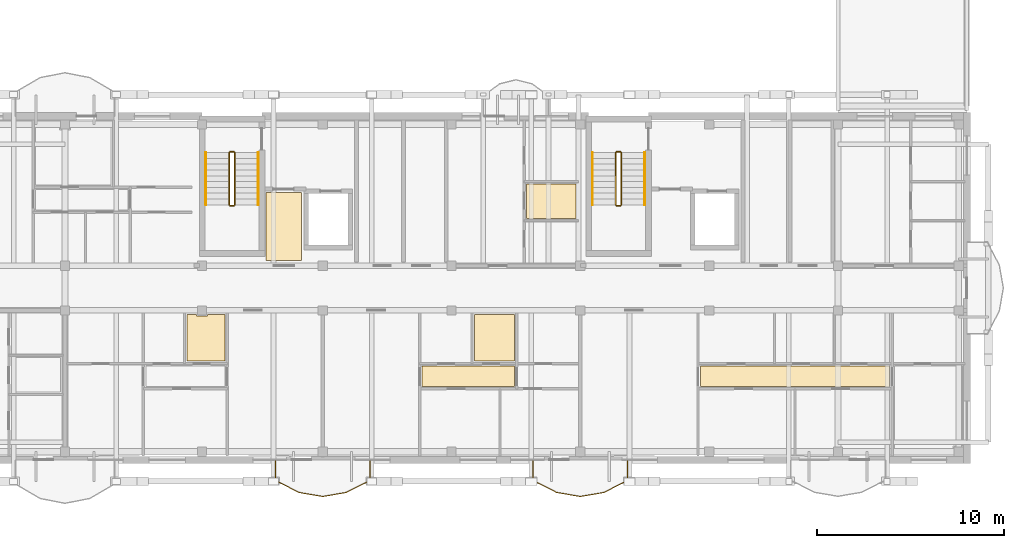
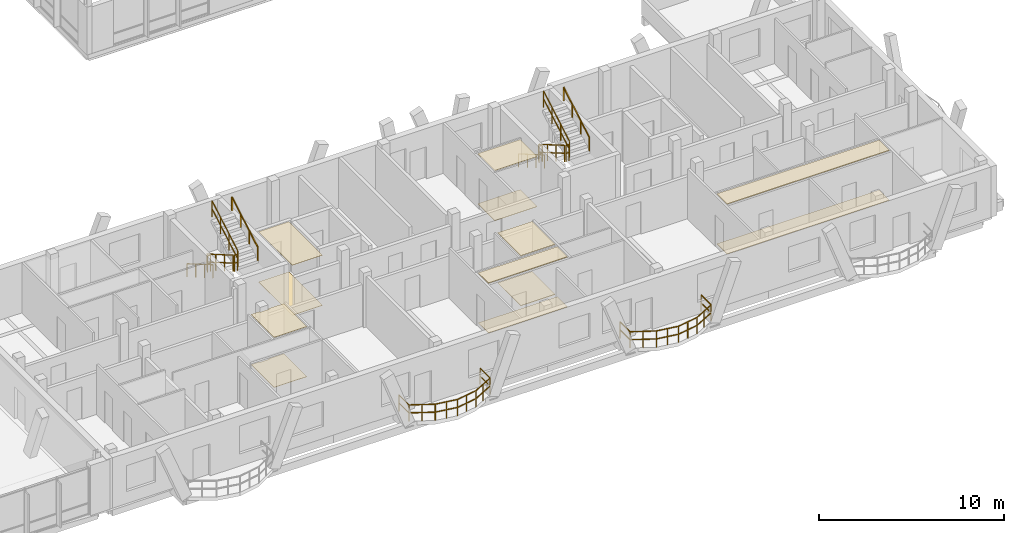
# One storey, part 185 of 189: 14 railings, 12 coverings.
"""IFC4 building model written with IfcOpenShell, lengths in metres."""

import ifcopenshell
import ifcopenshell.guid

model = None  # the IFC model being written
_history = None  # IfcOwnerHistory: only IFC2X3 demands one
_inside = {}  # id of a spatial element -> (the spatial element, [elements in it])
_under = {}  # id of a project, library or spatial element -> (it, [spatial elements below it])
_declared = {}  # id of a project -> (the project, [libraries it declares])
_typed = {}  # id of a type object -> (the type object, [elements of that type])
_made_of = {}  # id of a material, layer set ... -> (it, [elements and type objects made of it])


def new_model(schema):
    """Start an empty IFC model of exactly this schema.

    Asked for "IFC4X3", IfcOpenShell would pick the latest addendum, in which some entities
    have other attributes; the version numbers below select the first issue.
    IFC2X3 requires an IfcOwnerHistory on every rooted entity: one is made here for all.
    """
    global model, _history
    if schema == "IFC4X3":
        model = ifcopenshell.file(schema_version=(4, 3, 0, 0))
    else:
        model = ifcopenshell.file(schema=schema)
    _inside.clear()
    _under.clear()
    _declared.clear()
    _typed.clear()
    _made_of.clear()
    _history = None
    if model.schema == "IFC2X3":
        org = make("IfcOrganization", Name="unknown")
        user = make(
            "IfcPersonAndOrganization",
            ThePerson=make("IfcPerson", FamilyName="unknown"),
            TheOrganization=org,
        )
        app = make(
            "IfcApplication",
            ApplicationDeveloper=org,
            Version="unknown",
            ApplicationFullName="unknown",
            ApplicationIdentifier="unknown",
        )
        _history = make(
            "IfcOwnerHistory",
            OwningUser=user,
            OwningApplication=app,
            ChangeAction="ADDED",
            CreationDate=0,
        )
    return model


def make(cls, **values):
    """One entity of the class cls with the attributes given. An attribute that is None is left unset."""
    return model.create_entity(
        cls, **{name: value for name, value in values.items() if value is not None}
    )


def rooted(cls, **values):
    """An entity with a GlobalId (a new one), such as an element, a storey or a relation."""
    return make(cls, GlobalId=ifcopenshell.guid.new(), OwnerHistory=_history, **values)


def si_unit(unit_type, name, prefix=None):
    """IfcSIUnit, for example si_unit("LENGTHUNIT", "METRE", prefix="MILLI")."""
    return make("IfcSIUnit", UnitType=unit_type, Prefix=prefix, Name=name)


def assignment(units):
    """IfcUnitAssignment: the units of a project."""
    return None if units is None else make("IfcUnitAssignment", Units=units)


def point(xyz):
    """IfcCartesianPoint."""
    return None if xyz is None else make("IfcCartesianPoint", Coordinates=xyz)


def direction(xyz):
    """IfcDirection."""
    return None if xyz is None else make("IfcDirection", DirectionRatios=xyz)


def frame(location, z_axis=None, x_axis=None):
    """IfcAxis2Placement3D, a coordinate frame: its origin and axes. An axis left out is left unset."""
    return make(
        "IfcAxis2Placement3D",
        Location=point(location),
        Axis=direction(z_axis),
        RefDirection=direction(x_axis),
    )


def frame_2d(location, x_axis=None):
    """IfcAxis2Placement2D, a coordinate frame in the plane: its origin and x axis."""
    return make(
        "IfcAxis2Placement2D", Location=point(location), RefDirection=direction(x_axis)
    )


def origin():
    """The frame at (0, 0, 0) with its axes left unset."""
    return frame((0.0, 0.0, 0.0))


def origin_2d():
    """The frame at (0, 0) in the plane with its x axis left unset."""
    return frame_2d((0.0, 0.0))


def place(relative_to, where):
    """IfcLocalPlacement: puts the frame where relative to a parent placement (None: the world)."""
    return make(
        "IfcLocalPlacement", PlacementRelTo=relative_to, RelativePlacement=where
    )


def context(
    kind, dimensions, precision=None, world=None, true_north=None, identifier=None
):
    """IfcGeometricRepresentationContext, for example the 3D "Model" context."""
    return make(
        "IfcGeometricRepresentationContext",
        ContextIdentifier=identifier,
        ContextType=kind,
        CoordinateSpaceDimension=dimensions,
        Precision=precision,
        WorldCoordinateSystem=world,
        TrueNorth=true_north,
    )


def subcontext(parent, identifier, kind, view, scale=None):
    """IfcGeometricRepresentationSubContext, for example "Body" below "Model"."""
    return make(
        "IfcGeometricRepresentationSubContext",
        ContextIdentifier=identifier,
        ContextType=kind,
        ParentContext=parent,
        TargetScale=scale,
        TargetView=view,
    )


def project(units=None, contexts=None):
    """IfcProject with its units and contexts."""
    return rooted(
        "IfcProject",
        Name="project",
        RepresentationContexts=contexts,
        UnitsInContext=assignment(units),
    )


def spatial(cls, under=None, at=None, **own):
    """A site, building, storey or space (cls), placed at a placement, below another one or the project."""
    s = rooted(cls, ObjectPlacement=at, **own)
    if under is not None:
        _under.setdefault(under.id(), (under, []))[1].append(s)
    return s


def polyline(points):
    """IfcPolyline through the points."""
    return make("IfcPolyline", Points=[point(p) for p in points])


def profile(cls, at=None, kind="AREA", **sizes):
    """A parametric profile (cls). Its sizes go by their IFC names, for example OverallWidth=200.0."""
    return make(cls, ProfileType=kind, Position=at, **sizes)


def rectangle(**sizes):
    """IfcRectangleProfileDef."""
    return profile("IfcRectangleProfileDef", **sizes)


def outline(outer, holes=None, kind="AREA"):
    """IfcArbitraryClosedProfileDef: a profile drawn as a closed curve; with holes, ...WithVoids."""
    if holes is None:
        return make("IfcArbitraryClosedProfileDef", ProfileType=kind, OuterCurve=outer)
    return make(
        "IfcArbitraryProfileDefWithVoids",
        ProfileType=kind,
        OuterCurve=outer,
        InnerCurves=holes,
    )


def extrude(swept, where, along, depth):
    """IfcExtrudedAreaSolid: the profile swept, set in the frame where, extruded along a direction by depth."""
    return make(
        "IfcExtrudedAreaSolid",
        SweptArea=swept,
        Position=where,
        ExtrudedDirection=direction(along),
        Depth=depth,
    )


def shape(context_of_items, identifier, shape_type, items):
    """IfcShapeRepresentation: the items that make up one representation, for example the "Body"."""
    return make(
        "IfcShapeRepresentation",
        ContextOfItems=context_of_items,
        RepresentationIdentifier=identifier,
        RepresentationType=shape_type,
        Items=items,
    )


def material(Name=None, Category=None):
    """IfcMaterial."""
    return make("IfcMaterial", Name=Name, Category=Category)


def layer(
    of_material, thickness, ventilated=None, Name=None, Category=None, Priority=None
):
    """IfcMaterialLayer: one layer of a wall or slab, of a material (None: an air gap)."""
    return make(
        "IfcMaterialLayer",
        Material=of_material,
        LayerThickness=thickness,
        IsVentilated=ventilated,
        Name=Name,
        Category=Category,
        Priority=Priority,
    )


def layer_set(layers, Name=None):
    """IfcMaterialLayerSet."""
    return make("IfcMaterialLayerSet", MaterialLayers=layers, LayerSetName=Name)


def made_of(thing, what):
    """Note that an element or type object is made of a material, layer set ...; save() writes the relation."""
    if what is not None:
        _made_of.setdefault(what.id(), (what, []))[1].append(thing)
    return thing


def type_object(cls, material=None, **own):
    """A type object (cls), such as IfcWallType, which elements share."""
    return made_of(rooted(cls, **own), material)


def element(
    cls,
    number,
    at=None,
    inside=None,
    cuts=None,
    type_object=None,
    material=None,
    context=None,
    identifier="Body",
    shape_type=None,
    held_by="IfcProductDefinitionShape",
    body=None,
    shapes=None,
    **own,
):
    """One element of the class cls, such as IfcWall. Its Tag is "e" and its number.

    at: its placement. inside: the storey or other place that contains it. cuts: it is an
    opening in that element (IfcRelVoidsElement). A single representation is given by context,
    identifier, shape_type and body (its items); several are given by shapes. held_by: the class
    of the entity that holds the representations. save() writes the other relations.
    """
    e = rooted(cls, Tag="e%d" % number, ObjectPlacement=at, **own)
    if body is not None:
        shapes = [shape(context, identifier, shape_type, body)]
    if shapes is not None:
        e.Representation = make(held_by, Representations=shapes)
    if inside is not None:
        _inside.setdefault(inside.id(), (inside, []))[1].append(e)
    if cuts is not None:
        rooted(
            "IfcRelVoidsElement", RelatingBuildingElement=cuts, RelatedOpeningElement=e
        )
    if type_object is not None:
        _typed.setdefault(type_object.id(), (type_object, []))[1].append(e)
    return made_of(e, material)


def aggregate(whole, parts):
    """IfcRelAggregates: a whole, such as a stair, and the parts it consists of."""
    return rooted("IfcRelAggregates", RelatingObject=whole, RelatedObjects=parts)


def save(model, path):
    """Write the relations noted so far, then the file.

    IfcRelAggregates (storeys below a building ...), IfcRelContainedInSpatialStructure (elements
    in a storey), IfcRelDefinesByType, IfcRelAssociatesMaterial and IfcRelDeclares: one each for
    every whole, place, type object, material and project.
    """
    for whole, parts in _under.values():
        aggregate(whole, parts)
    for where, things in _inside.values():
        rooted(
            "IfcRelContainedInSpatialStructure",
            RelatedElements=things,
            RelatingStructure=where,
        )
    for kind, things in _typed.values():
        rooted("IfcRelDefinesByType", RelatedObjects=things, RelatingType=kind)
    for what, things in _made_of.values():
        rooted("IfcRelAssociatesMaterial", RelatedObjects=things, RelatingMaterial=what)
    for by, libraries in _declared.values():
        rooted("IfcRelDeclares", RelatingContext=by, RelatedDefinitions=libraries)
    model.write(path)


model = new_model("IFC4")

# Units and contexts
model_context = context("Model", 3, precision=1e-05, world=origin(), true_north=direction((0.0, 1.0)))
body_context = subcontext(model_context, "Body", "Model", "MODEL_VIEW")
ifc_project = project(units=[si_unit("LENGTHUNIT", "METRE"), si_unit("AREAUNIT", "SQUARE_METRE"), si_unit("VOLUMEUNIT", "CUBIC_METRE"), si_unit("PLANEANGLEUNIT", "RADIAN"), si_unit("MASSUNIT", "GRAM", prefix="KILO")], contexts=[model_context])

# Site, building, storey
site_placement = place(None, origin())
site = spatial("IfcSite", under=ifc_project, at=site_placement, CompositionType="ELEMENT")
building_placement = place(site_placement, origin())
building = spatial("IfcBuilding", under=site, at=building_placement, Name="Zavelmont Quarter", CompositionType="ELEMENT")
storey_placement = place(building_placement, frame((0.0, 0.0, 4.39990234375)))
storey = spatial("IfcBuildingStorey", under=building, at=storey_placement, Name="L01", CompositionType="ELEMENT", Elevation=4.39990234375)

# Coverings
ifc_material_1 = material(Name="Perforated acoustic gypsum board")
ifc_layer_1 = layer(ifc_material_1, 0.02490234375)
ifc_layer_set_1 = layer_set([ifc_layer_1], Name="Perforated acoustic gypsum board")
covering_type_1 = type_object("IfcCoveringType", Name="CV-CL01", PredefinedType="CEILING", material=ifc_layer_set_1)
covering_1_placement = place(storey_placement, frame((0.0, 0.0, 3.30517578125)))
element("IfcCovering", 1, at=covering_1_placement, inside=storey, type_object=covering_type_1, Name="L01 Lobby Vestibule acoustic ceiling", PredefinedType="CEILING", context=body_context, shape_type="SweptSolid", body=[
    extrude(outline(polyline([(130.47998046875, 14.320068359375), (132.3701171875, 14.320068359375), (132.3701171875, 10.679931640625), (130.47998046875, 10.679931640625), (130.47998046875, 14.320068359375)])), origin(), (0.0, 0.0, 1.0), 0.02490234375),
])
covering_2_placement = place(storey_placement, frame((0.0, 0.0, 3.30517578125)))
element("IfcCovering", 2, at=covering_2_placement, inside=storey, type_object=covering_type_1, Name="L01 Kitchen acoustic ceiling", PredefinedType="CEILING", context=body_context, shape_type="SweptSolid", body=[
    extrude(outline(polyline([(126.22998046875, 7.77001953125), (126.75, 7.77001953125), (126.75, 7.7099609375), (127.330078125, 7.7099609375), (127.330078125, 7.77001953125), (128.27001953125, 7.77001953125), (128.27001953125, 5.280029296875), (126.22998046875, 5.280029296875), (126.22998046875, 7.77001953125)])), origin(), (0.0, 0.0, 1.0), 0.02490234375),
])
ifc_material_2 = material(Name="Slatted European ash acoustic baffle ceiling")
ifc_layer_2 = layer(ifc_material_2, 0.0400390625)
ifc_layer_set_2 = layer_set([ifc_layer_2], Name="Slatted European ash acoustic baffle ceiling")
covering_type_2 = type_object("IfcCoveringType", Name="CV-CL02", PredefinedType="CEILING", material=ifc_layer_set_2)
covering_3_placement = place(storey_placement, frame((0.0, 0.0, 3.2900390625)))
element("IfcCovering", 3, at=covering_3_placement, inside=storey, type_object=covering_type_2, Name="L01 Apartment Hall acoustic ceiling", PredefinedType="CEILING", context=body_context, shape_type="SweptSolid", body=[
    extrude(outline(polyline([(138.830078125, 5.02001953125), (143.77001953125, 5.02001953125), (143.77001953125, 3.929931640625), (138.830078125, 3.929931640625), (138.830078125, 5.02001953125)])), origin(), (0.0, 0.0, 1.0), 0.0400390625),
])
covering_4_placement = place(storey_placement, frame((0.0, 0.0, 3.2900390625)))
element("IfcCovering", 4, at=covering_4_placement, inside=storey, type_object=covering_type_2, Name="L01 Apartment Hall acoustic ceiling", PredefinedType="CEILING", context=body_context, shape_type="SweptSolid", body=[
    extrude(outline(polyline([(153.72998046875, 5.02001953125), (163.8701171875, 5.02001953125), (163.8701171875, 3.929931640625), (153.72998046875, 3.929931640625), (153.72998046875, 5.02001953125)])), origin(), (0.0, 0.0, 1.0), 0.0400390625),
])
ifc_material_3 = material(Name="Moisture-resistant painted gypsum ceiling")
ifc_layer_3 = layer(ifc_material_3, 0.02001953125)
ifc_layer_set_3 = layer_set([ifc_layer_3], Name="Moisture-resistant painted gypsum ceiling")
covering_type_3 = type_object("IfcCoveringType", Name="CV-CL04", PredefinedType="CEILING", material=ifc_layer_set_3)
covering_5_placement = place(storey_placement, frame((0.0, 0.0, 3.31005859375)))
element("IfcCovering", 5, at=covering_5_placement, inside=storey, type_object=covering_type_3, Name="L01 Bathroom acoustic ceiling", PredefinedType="CEILING", context=body_context, shape_type="SweptSolid", body=[
    extrude(outline(polyline([(141.6298828125, 7.77001953125), (143.77001953125, 7.77001953125), (143.77001953125, 5.280029296875), (141.6298828125, 5.280029296875), (141.6298828125, 7.77001953125)])), origin(), (0.0, 0.0, 1.0), 0.02001953125),
])
covering_6_placement = place(storey_placement, frame((0.0, 0.0, 3.31005859375)))
element("IfcCovering", 6, at=covering_6_placement, inside=storey, type_object=covering_type_3, Name="L01 Bathroom acoustic ceiling", PredefinedType="CEILING", context=body_context, shape_type="SweptSolid", body=[
    extrude(outline(polyline([(144.429931640625, 14.77001953125), (147.070068359375, 14.77001953125), (147.070068359375, 12.929931640625), (144.429931640625, 12.929931640625), (144.429931640625, 14.77001953125)])), origin(), (0.0, 0.0, 1.0), 0.02001953125),
])
ifc_material_4 = material(Name="Engineered European oak parquet")
ifc_layer_4 = layer(ifc_material_4, 0.02197265625)
ifc_layer_set_4 = layer_set([ifc_layer_4], Name="Engineered European oak parquet")
covering_type_4 = type_object("IfcCoveringType", Name="CV-FL01", PredefinedType="FLOORING", material=ifc_layer_set_4)
covering_7_placement = place(storey_placement, origin())
element("IfcCovering", 7, at=covering_7_placement, inside=storey, type_object=covering_type_4, Name="L01 Lobby Vestibule floor finish", PredefinedType="FLOORING", context=body_context, shape_type="SweptSolid", body=[
    extrude(outline(polyline([(130.47998046875, 14.320068359375), (132.3701171875, 14.320068359375), (132.3701171875, 10.679931640625), (130.47998046875, 10.679931640625), (130.47998046875, 14.320068359375)])), origin(), (0.0, 0.0, 1.0), 0.022216796875),
])
covering_8_placement = place(storey_placement, origin())
element("IfcCovering", 8, at=covering_8_placement, inside=storey, type_object=covering_type_4, Name="L01 Kitchen floor finish", PredefinedType="FLOORING", context=body_context, shape_type="SweptSolid", body=[
    extrude(outline(polyline([(126.22998046875, 7.77001953125), (126.75, 7.77001953125), (126.75, 7.7099609375), (127.330078125, 7.7099609375), (127.330078125, 7.77001953125), (128.27001953125, 7.77001953125), (128.27001953125, 5.280029296875), (126.22998046875, 5.280029296875), (126.22998046875, 7.77001953125)])), origin(), (0.0, 0.0, 1.0), 0.022216796875),
])
ifc_material_5 = material(Name="Honed Belgian bluestone tile", Category="masonry")
ifc_layer_5 = layer(ifc_material_5, 0.030029296875)
ifc_layer_set_5 = layer_set([ifc_layer_5], Name="Honed Belgian bluestone tile")
covering_type_5 = type_object("IfcCoveringType", Name="CV-FL02", PredefinedType="FLOORING", material=ifc_layer_set_5)
covering_9_placement = place(storey_placement, origin())
element("IfcCovering", 9, at=covering_9_placement, inside=storey, type_object=covering_type_5, Name="L01 Apartment Hall floor finish", PredefinedType="FLOORING", context=body_context, shape_type="SweptSolid", body=[
    extrude(outline(polyline([(138.830078125, 5.02001953125), (143.77001953125, 5.02001953125), (143.77001953125, 3.929931640625), (138.830078125, 3.929931640625), (138.830078125, 5.02001953125)])), origin(), (0.0, 0.0, 1.0), 0.030029296875),
])
covering_10_placement = place(storey_placement, origin())
element("IfcCovering", 10, at=covering_10_placement, inside=storey, type_object=covering_type_5, Name="L01 Apartment Hall floor finish", PredefinedType="FLOORING", context=body_context, shape_type="SweptSolid", body=[
    extrude(outline(polyline([(153.72998046875, 5.02001953125), (163.8701171875, 5.02001953125), (163.8701171875, 3.929931640625), (153.72998046875, 3.929931640625), (153.72998046875, 5.02001953125)])), origin(), (0.0, 0.0, 1.0), 0.030029296875),
])
ifc_material_6 = material(Name="Slip-resistant porcelain tile")
ifc_layer_6 = layer(ifc_material_6, 0.02587890625)
ifc_layer_set_6 = layer_set([ifc_layer_6], Name="Slip-resistant porcelain tile")
covering_type_6 = type_object("IfcCoveringType", Name="CV-FL04", PredefinedType="FLOORING", material=ifc_layer_set_6)
covering_11_placement = place(storey_placement, origin())
element("IfcCovering", 11, at=covering_11_placement, inside=storey, type_object=covering_type_6, Name="L01 Bathroom floor finish", PredefinedType="FLOORING", context=body_context, shape_type="SweptSolid", body=[
    extrude(outline(polyline([(141.6298828125, 7.77001953125), (143.77001953125, 7.77001953125), (143.77001953125, 5.280029296875), (141.6298828125, 5.280029296875), (141.6298828125, 7.77001953125)])), origin(), (0.0, 0.0, 1.0), 0.026123046875),
])
covering_12_placement = place(storey_placement, origin())
element("IfcCovering", 12, at=covering_12_placement, inside=storey, type_object=covering_type_6, Name="L01 Bathroom floor finish", PredefinedType="FLOORING", context=body_context, shape_type="SweptSolid", body=[
    extrude(outline(polyline([(144.429931640625, 14.77001953125), (147.070068359375, 14.77001953125), (147.070068359375, 12.929931640625), (144.429931640625, 12.929931640625), (144.429931640625, 14.77001953125)])), origin(), (0.0, 0.0, 1.0), 0.026123046875),
])

# Railings
ifc_material_7 = material(Name="Powder-coated steel and tempered double safety glass", Category="steel")
railing_type_1 = type_object("IfcRailingType", Name="RL-BAL1", PredefinedType="BALUSTRADE", material=ifc_material_7)
railing_1_placement = place(storey_placement, frame((130.96728515625, -0.02001953125, 0.0)))
element("IfcRailing", 13, at=railing_1_placement, inside=storey, type_object=railing_type_1, Name="L01 Block D curved balcony guard RL-BAL1", PredefinedType="BALUSTRADE", context=body_context, shape_type="SweptSolid", body=[
    extrude(rectangle(XDim=0.048095703125, YDim=0.048095703125, at=origin_2d()), frame((0.0, 0.0, 1.076171875), z_axis=(0.0, -1.0, 0.0), x_axis=(1.0, 0.0, 0.0)), (0.0, 0.0, 1.0), 1.080322265625),
    extrude(rectangle(XDim=0.048095703125, YDim=0.048095703125, at=origin_2d()), frame((0.0, 0.0, 0.550048828125), z_axis=(0.0, -1.0, 0.0), x_axis=(1.0, 0.0, 0.0)), (0.0, 0.0, 1.0), 1.080322265625),
    extrude(rectangle(XDim=0.048095703125, YDim=0.048095703125, at=origin_2d()), frame((0.0, -1.080322265625, 1.076171875), z_axis=(0.890096003813, -0.455773083888, 0.0), x_axis=(0.455773083888, 0.890096003813, 0.0)), (0.0, 0.0, 1.0), 1.422607421875),
    extrude(rectangle(XDim=0.048095703125, YDim=0.048095703125, at=origin_2d()), frame((0.0, -1.080322265625, 0.550048828125), z_axis=(0.890096003813, -0.455773083888, 0.0), x_axis=(0.455773083888, 0.890096003813, 0.0)), (0.0, 0.0, 1.0), 1.422607421875),
    extrude(rectangle(XDim=0.048095703125, YDim=0.048095703125, at=origin_2d()), frame((1.266357421875, -1.728759765625, 1.076171875), z_axis=(0.985723350609, -0.168373026535, 0.0), x_axis=(0.168373026535, 0.985723350609, 0.0)), (0.0, 0.0, 1.0), 1.28466796875),
    extrude(rectangle(XDim=0.048095703125, YDim=0.048095703125, at=origin_2d()), frame((1.266357421875, -1.728759765625, 0.550048828125), z_axis=(0.985723350609, -0.168373026535, 0.0), x_axis=(0.168373026535, 0.985723350609, 0.0)), (0.0, 0.0, 1.0), 1.28466796875),
    extrude(rectangle(XDim=0.048095703125, YDim=0.048095703125, at=origin_2d()), frame((2.53271484375, -1.945068359375, 1.076171875), z_axis=(0.985723350609, 0.168373026535, 0.0), x_axis=(-0.168373026535, 0.985723350609, 0.0)), (0.0, 0.0, 1.0), 1.28466796875),
    extrude(rectangle(XDim=0.048095703125, YDim=0.048095703125, at=origin_2d()), frame((2.53271484375, -1.945068359375, 0.550048828125), z_axis=(0.985723350609, 0.168373026535, 0.0), x_axis=(-0.168373026535, 0.985723350609, 0.0)), (0.0, 0.0, 1.0), 1.28466796875),
    extrude(rectangle(XDim=0.048095703125, YDim=0.048095703125, at=origin_2d()), frame((3.799072265625, -1.728759765625, 1.076171875), z_axis=(0.890096003813, 0.455773083888, 0.0), x_axis=(-0.455773083888, 0.890096003813, 0.0)), (0.0, 0.0, 1.0), 1.422607421875),
    extrude(rectangle(XDim=0.048095703125, YDim=0.048095703125, at=origin_2d()), frame((3.799072265625, -1.728759765625, 0.550048828125), z_axis=(0.890096003813, 0.455773083888, 0.0), x_axis=(-0.455773083888, 0.890096003813, 0.0)), (0.0, 0.0, 1.0), 1.422607421875),
    extrude(rectangle(XDim=0.048095703125, YDim=0.048095703125, at=origin_2d()), frame((5.0654296875, -1.080322265625, 1.076171875), z_axis=(0.0, 1.0, 0.0), x_axis=(-1.0, 0.0, 0.0)), (0.0, 0.0, 1.0), 1.080322265625),
    extrude(rectangle(XDim=0.048095703125, YDim=0.048095703125, at=origin_2d()), frame((5.0654296875, -1.080322265625, 0.550048828125), z_axis=(0.0, 1.0, 0.0), x_axis=(-1.0, 0.0, 0.0)), (0.0, 0.0, 1.0), 1.080322265625),
    extrude(rectangle(XDim=0.0419921875, YDim=0.0419921875, at=origin_2d()), origin(), (0.0, 0.0, 1.0), 1.052001953125),
    extrude(rectangle(XDim=0.0419921875, YDim=0.0419921875, at=origin_2d()), frame((0.0, -1.080322265625, 0.0)), (0.0, 0.0, 1.0), 1.052001953125),
    extrude(rectangle(XDim=0.0419921875, YDim=0.0419921875, at=origin_2d()), frame((0.63330078125, -1.404541015625, 0.0)), (0.0, 0.0, 1.0), 1.052001953125),
    extrude(rectangle(XDim=0.0419921875, YDim=0.0419921875, at=origin_2d()), frame((1.266357421875, -1.728759765625, 0.0)), (0.0, 0.0, 1.0), 1.052001953125),
    extrude(rectangle(XDim=0.0419921875, YDim=0.0419921875, at=origin_2d()), frame((1.8994140625, -1.8369140625, 0.0)), (0.0, 0.0, 1.0), 1.052001953125),
    extrude(rectangle(XDim=0.0419921875, YDim=0.0419921875, at=origin_2d()), frame((2.53271484375, -1.945068359375, 0.0)), (0.0, 0.0, 1.0), 1.052001953125),
    extrude(rectangle(XDim=0.0419921875, YDim=0.0419921875, at=origin_2d()), frame((3.166015625, -1.8369140625, 0.0)), (0.0, 0.0, 1.0), 1.052001953125),
    extrude(rectangle(XDim=0.0419921875, YDim=0.0419921875, at=origin_2d()), frame((3.799072265625, -1.728759765625, 0.0)), (0.0, 0.0, 1.0), 1.052001953125),
    extrude(rectangle(XDim=0.0419921875, YDim=0.0419921875, at=origin_2d()), frame((4.43212890625, -1.404541015625, 0.0)), (0.0, 0.0, 1.0), 1.052001953125),
    extrude(rectangle(XDim=0.0419921875, YDim=0.0419921875, at=origin_2d()), frame((5.0654296875, -1.080322265625, 0.0)), (0.0, 0.0, 1.0), 1.052001953125),
    extrude(rectangle(XDim=0.0419921875, YDim=0.0419921875, at=origin_2d()), frame((5.0654296875, 0.0, 0.0)), (0.0, 0.0, 1.0), 1.052001953125),
])
railing_2_placement = place(storey_placement, frame((144.767333984375, -0.02001953125, 0.0)))
element("IfcRailing", 14, at=railing_2_placement, inside=storey, type_object=railing_type_1, Name="L01 Block D curved balcony guard RL-BAL1", PredefinedType="BALUSTRADE", context=body_context, shape_type="SweptSolid", body=[
    extrude(rectangle(XDim=0.048095703125, YDim=0.048095703125, at=origin_2d()), frame((0.0, 0.0, 1.076171875), z_axis=(0.0, -1.0, 0.0), x_axis=(1.0, 0.0, 0.0)), (0.0, 0.0, 1.0), 1.080322265625),
    extrude(rectangle(XDim=0.048095703125, YDim=0.048095703125, at=origin_2d()), frame((0.0, 0.0, 0.550048828125), z_axis=(0.0, -1.0, 0.0), x_axis=(1.0, 0.0, 0.0)), (0.0, 0.0, 1.0), 1.080322265625),
    extrude(rectangle(XDim=0.048095703125, YDim=0.048095703125, at=origin_2d()), frame((0.0, -1.080322265625, 1.076171875), z_axis=(0.890096003813, -0.455773083888, 0.0), x_axis=(0.455773083888, 0.890096003813, 0.0)), (0.0, 0.0, 1.0), 1.422607421875),
    extrude(rectangle(XDim=0.048095703125, YDim=0.048095703125, at=origin_2d()), frame((0.0, -1.080322265625, 0.550048828125), z_axis=(0.890096003813, -0.455773083888, 0.0), x_axis=(0.455773083888, 0.890096003813, 0.0)), (0.0, 0.0, 1.0), 1.422607421875),
    extrude(rectangle(XDim=0.048095703125, YDim=0.048095703125, at=origin_2d()), frame((1.266357421875, -1.728759765625, 1.076171875), z_axis=(0.985723350609, -0.168373026535, 0.0), x_axis=(0.168373026535, 0.985723350609, 0.0)), (0.0, 0.0, 1.0), 1.28466796875),
    extrude(rectangle(XDim=0.048095703125, YDim=0.048095703125, at=origin_2d()), frame((1.266357421875, -1.728759765625, 0.550048828125), z_axis=(0.985723350609, -0.168373026535, 0.0), x_axis=(0.168373026535, 0.985723350609, 0.0)), (0.0, 0.0, 1.0), 1.28466796875),
    extrude(rectangle(XDim=0.048095703125, YDim=0.048095703125, at=origin_2d()), frame((2.53271484375, -1.945068359375, 1.076171875), z_axis=(0.985723350609, 0.168373026535, 0.0), x_axis=(-0.168373026535, 0.985723350609, 0.0)), (0.0, 0.0, 1.0), 1.28466796875),
    extrude(rectangle(XDim=0.048095703125, YDim=0.048095703125, at=origin_2d()), frame((2.53271484375, -1.945068359375, 0.550048828125), z_axis=(0.985723350609, 0.168373026535, 0.0), x_axis=(-0.168373026535, 0.985723350609, 0.0)), (0.0, 0.0, 1.0), 1.28466796875),
    extrude(rectangle(XDim=0.048095703125, YDim=0.048095703125, at=origin_2d()), frame((3.799072265625, -1.728759765625, 1.076171875), z_axis=(0.890060349057, 0.455842708657, 0.0), x_axis=(-0.455842708657, 0.890060349057, 0.0)), (0.0, 0.0, 1.0), 1.422607421875),
    extrude(rectangle(XDim=0.048095703125, YDim=0.048095703125, at=origin_2d()), frame((3.799072265625, -1.728759765625, 0.550048828125), z_axis=(0.890060349057, 0.455842708657, 0.0), x_axis=(-0.455842708657, 0.890060349057, 0.0)), (0.0, 0.0, 1.0), 1.422607421875),
    extrude(rectangle(XDim=0.048095703125, YDim=0.048095703125, at=origin_2d()), frame((5.065185546875, -1.080322265625, 1.076171875), z_axis=(0.0, 1.0, 0.0), x_axis=(-1.0, 0.0, 0.0)), (0.0, 0.0, 1.0), 1.080322265625),
    extrude(rectangle(XDim=0.048095703125, YDim=0.048095703125, at=origin_2d()), frame((5.065185546875, -1.080322265625, 0.550048828125), z_axis=(0.0, 1.0, 0.0), x_axis=(-1.0, 0.0, 0.0)), (0.0, 0.0, 1.0), 1.080322265625),
    extrude(rectangle(XDim=0.0419921875, YDim=0.0419921875, at=origin_2d()), origin(), (0.0, 0.0, 1.0), 1.052001953125),
    extrude(rectangle(XDim=0.0419921875, YDim=0.0419921875, at=origin_2d()), frame((0.0, -1.080322265625, 0.0)), (0.0, 0.0, 1.0), 1.052001953125),
    extrude(rectangle(XDim=0.0419921875, YDim=0.0419921875, at=origin_2d()), frame((0.63330078125, -1.404541015625, 0.0)), (0.0, 0.0, 1.0), 1.052001953125),
    extrude(rectangle(XDim=0.0419921875, YDim=0.0419921875, at=origin_2d()), frame((1.266357421875, -1.728759765625, 0.0)), (0.0, 0.0, 1.0), 1.052001953125),
    extrude(rectangle(XDim=0.0419921875, YDim=0.0419921875, at=origin_2d()), frame((1.8994140625, -1.8369140625, 0.0)), (0.0, 0.0, 1.0), 1.052001953125),
    extrude(rectangle(XDim=0.0419921875, YDim=0.0419921875, at=origin_2d()), frame((2.53271484375, -1.945068359375, 0.0)), (0.0, 0.0, 1.0), 1.052001953125),
    extrude(rectangle(XDim=0.0419921875, YDim=0.0419921875, at=origin_2d()), frame((3.166015625, -1.8369140625, 0.0)), (0.0, 0.0, 1.0), 1.052001953125),
    extrude(rectangle(XDim=0.0419921875, YDim=0.0419921875, at=origin_2d()), frame((3.799072265625, -1.728759765625, 0.0)), (0.0, 0.0, 1.0), 1.052001953125),
    extrude(rectangle(XDim=0.0419921875, YDim=0.0419921875, at=origin_2d()), frame((4.43212890625, -1.404541015625, 0.0)), (0.0, 0.0, 1.0), 1.052001953125),
    extrude(rectangle(XDim=0.0419921875, YDim=0.0419921875, at=origin_2d()), frame((5.065185546875, -1.080322265625, 0.0)), (0.0, 0.0, 1.0), 1.052001953125),
    extrude(rectangle(XDim=0.0419921875, YDim=0.0419921875, at=origin_2d()), frame((5.065185546875, 0.0, 0.0)), (0.0, 0.0, 1.0), 1.052001953125),
])
ifc_material_8 = material(Name="Powder-coated steel stair guardrail", Category="steel")
railing_type_2 = type_object("IfcRailingType", Name="RL-GRD1", PredefinedType="GUARDRAIL", material=ifc_material_8)
railing_3_placement = place(storey_placement, frame((128.5, 16.449951171875, 0.18017578125)))
element("IfcRailing", 15, at=railing_3_placement, inside=storey, type_object=railing_type_2, Name="L01 ST07 stair guardrail 1", PredefinedType="GUARDRAIL", context=body_context, shape_type="SweptSolid", body=[
    extrude(rectangle(XDim=0.048095703125, YDim=0.048095703125, at=origin_2d()), frame((0.0, 0.0, 1.076171875), z_axis=(0.0, -0.864809086542, 0.502100830347), x_axis=(1.0, 0.0, 0.0)), (0.0, 0.0, 1.0), 3.22607421875),
    extrude(rectangle(XDim=0.048095703125, YDim=0.048095703125, at=origin_2d()), frame((0.0, 0.0, 0.550048828125), z_axis=(0.0, -0.864809086542, 0.502100830347), x_axis=(1.0, 0.0, 0.0)), (0.0, 0.0, 1.0), 3.22607421875),
    extrude(rectangle(XDim=0.0419921875, YDim=0.0419921875, at=origin_2d()), origin(), (0.0, 0.0, 1.0), 1.052001953125),
    extrude(rectangle(XDim=0.0419921875, YDim=0.0419921875, at=origin_2d()), frame((0.0, -0.929931640625, 0.5400390625)), (0.0, 0.0, 1.0), 1.052001953125),
    extrude(rectangle(XDim=0.0419921875, YDim=0.0419921875, at=origin_2d()), frame((0.0, -1.860107421875, 1.079833984375)), (0.0, 0.0, 1.0), 1.052001953125),
    extrude(rectangle(XDim=0.0419921875, YDim=0.0419921875, at=origin_2d()), frame((0.0, -2.7900390625, 1.619873046875)), (0.0, 0.0, 1.0), 1.052001953125),
])
railing_4_placement = place(storey_placement, frame((128.550048828125, 13.610107421875, 1.800048828125)))
element("IfcRailing", 16, at=railing_4_placement, inside=storey, type_object=railing_type_2, Name="L01 ST07 stair guardrail 2", PredefinedType="GUARDRAIL", context=body_context, shape_type="SweptSolid", body=[
    extrude(rectangle(XDim=0.048095703125, YDim=0.048095703125, at=origin_2d()), frame((0.0, 0.0, 1.076171875), z_axis=(1.0, 0.0, 0.0), x_axis=(0.0, 1.0, 0.0)), (0.0, 0.0, 1.0), 0.199951171875),
    extrude(rectangle(XDim=0.048095703125, YDim=0.048095703125, at=origin_2d()), frame((0.0, 0.0, 0.550048828125), z_axis=(1.0, 0.0, 0.0), x_axis=(0.0, 1.0, 0.0)), (0.0, 0.0, 1.0), 0.199951171875),
    extrude(rectangle(XDim=0.0419921875, YDim=0.0419921875, at=origin_2d()), origin(), (0.0, 0.0, 1.0), 1.052001953125),
    extrude(rectangle(XDim=0.0419921875, YDim=0.0419921875, at=origin_2d()), frame((0.199951171875, 0.0, 0.0)), (0.0, 0.0, 1.0), 1.052001953125),
])
railing_5_placement = place(storey_placement, frame((128.800048828125, 13.659912109375, 1.97998046875)))
element("IfcRailing", 17, at=railing_5_placement, inside=storey, type_object=railing_type_2, Name="L01 ST07 stair guardrail 3", PredefinedType="GUARDRAIL", context=body_context, shape_type="SweptSolid", body=[
    extrude(rectangle(XDim=0.048095703125, YDim=0.048095703125, at=origin_2d()), frame((0.0, 0.0, 1.076171875), z_axis=(0.0, 0.86477622642, 0.502157423742), x_axis=(-1.0, 0.0, 0.0)), (0.0, 0.0, 1.0), 3.226318359375),
    extrude(rectangle(XDim=0.048095703125, YDim=0.048095703125, at=origin_2d()), frame((0.0, 0.0, 0.550048828125), z_axis=(0.0, 0.86477622642, 0.502157423742), x_axis=(-1.0, 0.0, 0.0)), (0.0, 0.0, 1.0), 3.226318359375),
    extrude(rectangle(XDim=0.0419921875, YDim=0.0419921875, at=origin_2d()), origin(), (0.0, 0.0, 1.0), 1.052001953125),
    extrude(rectangle(XDim=0.0419921875, YDim=0.0419921875, at=origin_2d()), frame((0.0, 0.929931640625, 0.5400390625)), (0.0, 0.0, 1.0), 1.052001953125),
    extrude(rectangle(XDim=0.0419921875, YDim=0.0419921875, at=origin_2d()), frame((0.0, 1.860107421875, 1.080078125)), (0.0, 0.0, 1.0), 1.052001953125),
    extrude(rectangle(XDim=0.0419921875, YDim=0.0419921875, at=origin_2d()), frame((0.0, 2.7900390625, 1.6201171875)), (0.0, 0.0, 1.0), 1.052001953125),
])
railing_6_placement = place(storey_placement, frame((128.550048828125, 16.5, 0.0)))
element("IfcRailing", 18, at=railing_6_placement, inside=storey, type_object=railing_type_2, Name="L01 ST07 stair guardrail 4", PredefinedType="GUARDRAIL", context=body_context, shape_type="SweptSolid", body=[
    extrude(rectangle(XDim=0.048095703125, YDim=0.048095703125, at=origin_2d()), frame((0.0, 0.0, 1.076171875), z_axis=(1.0, 0.0, 0.0), x_axis=(0.0, 1.0, 0.0)), (0.0, 0.0, 1.0), 0.199951171875),
    extrude(rectangle(XDim=0.048095703125, YDim=0.048095703125, at=origin_2d()), frame((0.0, 0.0, 0.550048828125), z_axis=(1.0, 0.0, 0.0), x_axis=(0.0, 1.0, 0.0)), (0.0, 0.0, 1.0), 0.199951171875),
    extrude(rectangle(XDim=0.0419921875, YDim=0.0419921875, at=origin_2d()), origin(), (0.0, 0.0, 1.0), 1.052001953125),
    extrude(rectangle(XDim=0.0419921875, YDim=0.0419921875, at=origin_2d()), frame((0.199951171875, 0.0, 0.0)), (0.0, 0.0, 1.0), 1.052001953125),
])
railing_7_placement = place(storey_placement, frame((149.199951171875, 16.449951171875, 0.18017578125)))
element("IfcRailing", 19, at=railing_7_placement, inside=storey, type_object=railing_type_2, Name="L01 ST08 stair guardrail 1", PredefinedType="GUARDRAIL", context=body_context, shape_type="SweptSolid", body=[
    extrude(rectangle(XDim=0.048095703125, YDim=0.048095703125, at=origin_2d()), frame((0.0, 0.0, 1.076171875), z_axis=(0.0, -0.864809086542, 0.502100830347), x_axis=(1.0, 0.0, 0.0)), (0.0, 0.0, 1.0), 3.22607421875),
    extrude(rectangle(XDim=0.048095703125, YDim=0.048095703125, at=origin_2d()), frame((0.0, 0.0, 0.550048828125), z_axis=(0.0, -0.864809086542, 0.502100830347), x_axis=(1.0, 0.0, 0.0)), (0.0, 0.0, 1.0), 3.22607421875),
    extrude(rectangle(XDim=0.0419921875, YDim=0.0419921875, at=origin_2d()), origin(), (0.0, 0.0, 1.0), 1.052001953125),
    extrude(rectangle(XDim=0.0419921875, YDim=0.0419921875, at=origin_2d()), frame((0.0, -0.929931640625, 0.5400390625)), (0.0, 0.0, 1.0), 1.052001953125),
    extrude(rectangle(XDim=0.0419921875, YDim=0.0419921875, at=origin_2d()), frame((0.0, -1.860107421875, 1.079833984375)), (0.0, 0.0, 1.0), 1.052001953125),
    extrude(rectangle(XDim=0.0419921875, YDim=0.0419921875, at=origin_2d()), frame((0.0, -2.7900390625, 1.619873046875)), (0.0, 0.0, 1.0), 1.052001953125),
])
railing_8_placement = place(storey_placement, frame((149.25, 13.610107421875, 1.800048828125)))
element("IfcRailing", 20, at=railing_8_placement, inside=storey, type_object=railing_type_2, Name="L01 ST08 stair guardrail 2", PredefinedType="GUARDRAIL", context=body_context, shape_type="SweptSolid", body=[
    extrude(rectangle(XDim=0.048095703125, YDim=0.048095703125, at=origin_2d()), frame((0.0, 0.0, 1.076171875), z_axis=(1.0, 0.0, 0.0), x_axis=(0.0, 1.0, 0.0)), (0.0, 0.0, 1.0), 0.199951171875),
    extrude(rectangle(XDim=0.048095703125, YDim=0.048095703125, at=origin_2d()), frame((0.0, 0.0, 0.550048828125), z_axis=(1.0, 0.0, 0.0), x_axis=(0.0, 1.0, 0.0)), (0.0, 0.0, 1.0), 0.199951171875),
    extrude(rectangle(XDim=0.0419921875, YDim=0.0419921875, at=origin_2d()), origin(), (0.0, 0.0, 1.0), 1.052001953125),
    extrude(rectangle(XDim=0.0419921875, YDim=0.0419921875, at=origin_2d()), frame((0.199951171875, 0.0, 0.0)), (0.0, 0.0, 1.0), 1.052001953125),
])
railing_9_placement = place(storey_placement, frame((149.5, 13.659912109375, 1.97998046875)))
element("IfcRailing", 21, at=railing_9_placement, inside=storey, type_object=railing_type_2, Name="L01 ST08 stair guardrail 3", PredefinedType="GUARDRAIL", context=body_context, shape_type="SweptSolid", body=[
    extrude(rectangle(XDim=0.048095703125, YDim=0.048095703125, at=origin_2d()), frame((0.0, 0.0, 1.076171875), z_axis=(0.0, 0.86477622642, 0.502157423742), x_axis=(-1.0, 0.0, 0.0)), (0.0, 0.0, 1.0), 3.226318359375),
    extrude(rectangle(XDim=0.048095703125, YDim=0.048095703125, at=origin_2d()), frame((0.0, 0.0, 0.550048828125), z_axis=(0.0, 0.86477622642, 0.502157423742), x_axis=(-1.0, 0.0, 0.0)), (0.0, 0.0, 1.0), 3.226318359375),
    extrude(rectangle(XDim=0.0419921875, YDim=0.0419921875, at=origin_2d()), origin(), (0.0, 0.0, 1.0), 1.052001953125),
    extrude(rectangle(XDim=0.0419921875, YDim=0.0419921875, at=origin_2d()), frame((0.0, 0.929931640625, 0.5400390625)), (0.0, 0.0, 1.0), 1.052001953125),
    extrude(rectangle(XDim=0.0419921875, YDim=0.0419921875, at=origin_2d()), frame((0.0, 1.860107421875, 1.080078125)), (0.0, 0.0, 1.0), 1.052001953125),
    extrude(rectangle(XDim=0.0419921875, YDim=0.0419921875, at=origin_2d()), frame((0.0, 2.7900390625, 1.6201171875)), (0.0, 0.0, 1.0), 1.052001953125),
])
railing_10_placement = place(storey_placement, frame((149.25, 16.5, 0.0)))
element("IfcRailing", 22, at=railing_10_placement, inside=storey, type_object=railing_type_2, Name="L01 ST08 stair guardrail 4", PredefinedType="GUARDRAIL", context=body_context, shape_type="SweptSolid", body=[
    extrude(rectangle(XDim=0.048095703125, YDim=0.048095703125, at=origin_2d()), frame((0.0, 0.0, 1.076171875), z_axis=(1.0, 0.0, 0.0), x_axis=(0.0, 1.0, 0.0)), (0.0, 0.0, 1.0), 0.199951171875),
    extrude(rectangle(XDim=0.048095703125, YDim=0.048095703125, at=origin_2d()), frame((0.0, 0.0, 0.550048828125), z_axis=(1.0, 0.0, 0.0), x_axis=(0.0, 1.0, 0.0)), (0.0, 0.0, 1.0), 0.199951171875),
    extrude(rectangle(XDim=0.0419921875, YDim=0.0419921875, at=origin_2d()), origin(), (0.0, 0.0, 1.0), 1.052001953125),
    extrude(rectangle(XDim=0.0419921875, YDim=0.0419921875, at=origin_2d()), frame((0.199951171875, 0.0, 0.0)), (0.0, 0.0, 1.0), 1.052001953125),
])
ifc_material_9 = material(Name="Brushed stainless-steel wall handrail", Category="steel")
railing_type_3 = type_object("IfcRailingType", Name="RL-HND1", PredefinedType="HANDRAIL", material=ifc_material_9)
railing_11_placement = place(storey_placement, frame((127.25, 16.449951171875, 0.18017578125)))
element("IfcRailing", 23, at=railing_11_placement, inside=storey, type_object=railing_type_3, Name="L01 ST07 stair handrail 1", PredefinedType="HANDRAIL", context=body_context, shape_type="SweptSolid", body=[
    extrude(rectangle(XDim=0.048095703125, YDim=0.048095703125, at=origin_2d()), frame((0.0, 0.0, 0.8759765625), z_axis=(0.0, -0.864809086542, 0.502100830347), x_axis=(1.0, 0.0, 0.0)), (0.0, 0.0, 1.0), 3.22607421875),
    extrude(rectangle(XDim=0.0419921875, YDim=0.0419921875, at=origin_2d()), origin(), (0.0, 0.0, 1.0), 0.851806640625),
    extrude(rectangle(XDim=0.0419921875, YDim=0.0419921875, at=origin_2d()), frame((0.0, -0.929931640625, 0.5400390625)), (0.0, 0.0, 1.0), 0.851806640625),
    extrude(rectangle(XDim=0.0419921875, YDim=0.0419921875, at=origin_2d()), frame((0.0, -1.860107421875, 1.079833984375)), (0.0, 0.0, 1.0), 0.851806640625),
    extrude(rectangle(XDim=0.0419921875, YDim=0.0419921875, at=origin_2d()), frame((0.0, -2.7900390625, 1.619873046875)), (0.0, 0.0, 1.0), 0.851806640625),
])
railing_12_placement = place(storey_placement, frame((130.050048828125, 13.659912109375, 1.97998046875)))
element("IfcRailing", 24, at=railing_12_placement, inside=storey, type_object=railing_type_3, Name="L01 ST07 stair handrail 2", PredefinedType="HANDRAIL", context=body_context, shape_type="SweptSolid", body=[
    extrude(rectangle(XDim=0.048095703125, YDim=0.048095703125, at=origin_2d()), frame((0.0, 0.0, 0.8759765625), z_axis=(0.0, 0.86477622642, 0.502157423742), x_axis=(-1.0, 0.0, 0.0)), (0.0, 0.0, 1.0), 3.226318359375),
    extrude(rectangle(XDim=0.0419921875, YDim=0.0419921875, at=origin_2d()), origin(), (0.0, 0.0, 1.0), 0.851806640625),
    extrude(rectangle(XDim=0.0419921875, YDim=0.0419921875, at=origin_2d()), frame((0.0, 0.929931640625, 0.5400390625)), (0.0, 0.0, 1.0), 0.851806640625),
    extrude(rectangle(XDim=0.0419921875, YDim=0.0419921875, at=origin_2d()), frame((0.0, 1.860107421875, 1.080078125)), (0.0, 0.0, 1.0), 0.851806640625),
    extrude(rectangle(XDim=0.0419921875, YDim=0.0419921875, at=origin_2d()), frame((0.0, 2.7900390625, 1.6201171875)), (0.0, 0.0, 1.0), 0.851806640625),
])
railing_13_placement = place(storey_placement, frame((147.949951171875, 16.449951171875, 0.18017578125)))
element("IfcRailing", 25, at=railing_13_placement, inside=storey, type_object=railing_type_3, Name="L01 ST08 stair handrail 1", PredefinedType="HANDRAIL", context=body_context, shape_type="SweptSolid", body=[
    extrude(rectangle(XDim=0.048095703125, YDim=0.048095703125, at=origin_2d()), frame((0.0, 0.0, 0.8759765625), z_axis=(0.0, -0.864809086542, 0.502100830347), x_axis=(1.0, 0.0, 0.0)), (0.0, 0.0, 1.0), 3.22607421875),
    extrude(rectangle(XDim=0.0419921875, YDim=0.0419921875, at=origin_2d()), origin(), (0.0, 0.0, 1.0), 0.851806640625),
    extrude(rectangle(XDim=0.0419921875, YDim=0.0419921875, at=origin_2d()), frame((0.0, -0.929931640625, 0.5400390625)), (0.0, 0.0, 1.0), 0.851806640625),
    extrude(rectangle(XDim=0.0419921875, YDim=0.0419921875, at=origin_2d()), frame((0.0, -1.860107421875, 1.079833984375)), (0.0, 0.0, 1.0), 0.851806640625),
    extrude(rectangle(XDim=0.0419921875, YDim=0.0419921875, at=origin_2d()), frame((0.0, -2.7900390625, 1.619873046875)), (0.0, 0.0, 1.0), 0.851806640625),
])
railing_14_placement = place(storey_placement, frame((150.75, 13.659912109375, 1.97998046875)))
element("IfcRailing", 26, at=railing_14_placement, inside=storey, type_object=railing_type_3, Name="L01 ST08 stair handrail 2", PredefinedType="HANDRAIL", context=body_context, shape_type="SweptSolid", body=[
    extrude(rectangle(XDim=0.048095703125, YDim=0.048095703125, at=origin_2d()), frame((0.0, 0.0, 0.8759765625), z_axis=(0.0, 0.86477622642, 0.502157423742), x_axis=(-1.0, 0.0, 0.0)), (0.0, 0.0, 1.0), 3.226318359375),
    extrude(rectangle(XDim=0.0419921875, YDim=0.0419921875, at=origin_2d()), origin(), (0.0, 0.0, 1.0), 0.851806640625),
    extrude(rectangle(XDim=0.0419921875, YDim=0.0419921875, at=origin_2d()), frame((0.0, 0.929931640625, 0.5400390625)), (0.0, 0.0, 1.0), 0.851806640625),
    extrude(rectangle(XDim=0.0419921875, YDim=0.0419921875, at=origin_2d()), frame((0.0, 1.860107421875, 1.080078125)), (0.0, 0.0, 1.0), 0.851806640625),
    extrude(rectangle(XDim=0.0419921875, YDim=0.0419921875, at=origin_2d()), frame((0.0, 2.7900390625, 1.6201171875)), (0.0, 0.0, 1.0), 0.851806640625),
])

save(model, "model.ifc")
